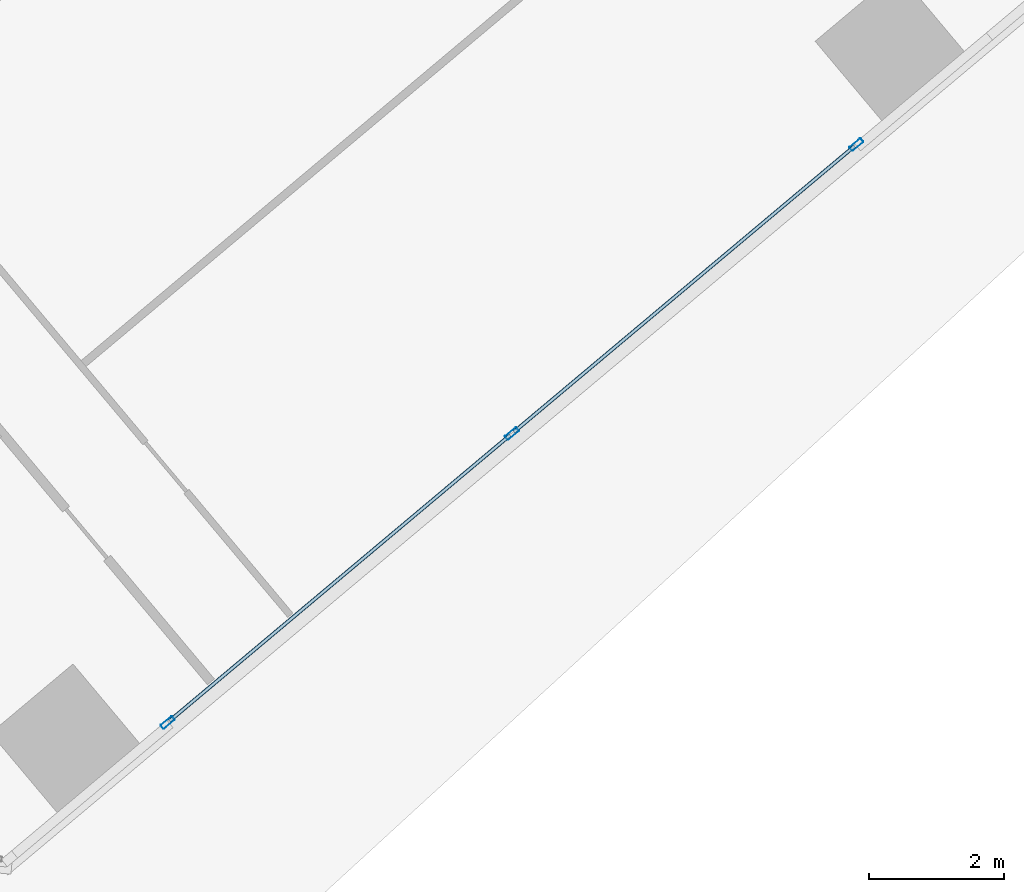
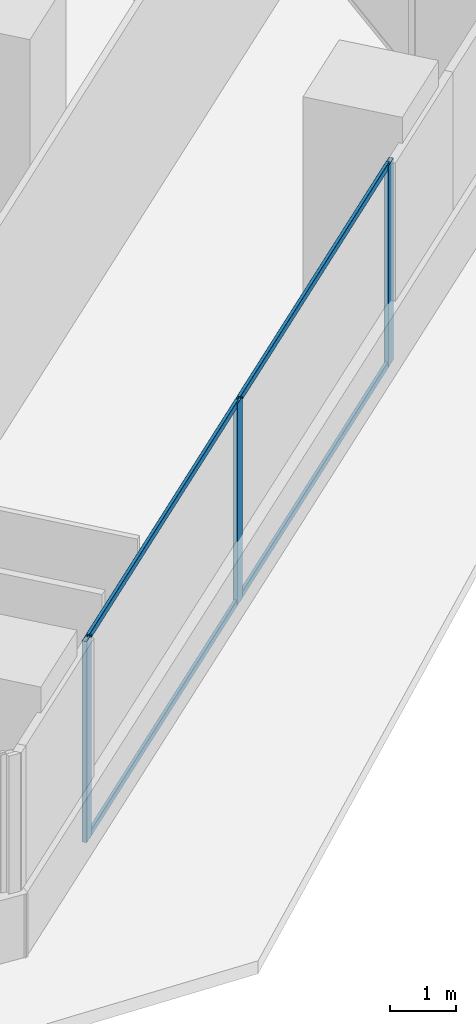
# One storey, part 5 of 17: 7 members, 1 element without a shape of its own.
"""IFC4 building model written with IfcOpenShell, lengths in metres."""

from ifc_helpers import new_model, si_unit, direction, frame, origin, origin_2d, place, context, subcontext, project, spatial, hollow_rectangle, extrude, source, transform, mapped, material, material_profile, profile_set, type_object, element, aggregate, save


model = new_model("IFC4")

# Units and contexts
model_context = context("Model", 3, precision=1e-05, world=origin(), true_north=direction((0.0, 1.0)))
body_context = subcontext(model_context, "Body", "Model", "MODEL_VIEW")
ifc_project = project(units=[si_unit("LENGTHUNIT", "METRE"), si_unit("AREAUNIT", "SQUARE_METRE"), si_unit("VOLUMEUNIT", "CUBIC_METRE"), si_unit("PLANEANGLEUNIT", "RADIAN"), si_unit("MASSUNIT", "GRAM", prefix="KILO")], contexts=[model_context])

# Site, building, storey
site_placement = place(None, origin())
site = spatial("IfcSite", under=ifc_project, at=site_placement, CompositionType="ELEMENT")
building_placement = place(site_placement, origin())
building = spatial("IfcBuilding", under=site, at=building_placement, Name="Torre Montelarca", CompositionType="ELEMENT")
storey_placement = place(building_placement, frame((0.0, 0.0, 266.800048828125)))
storey = spatial("IfcBuildingStorey", under=building, at=storey_placement, Name="L60", CompositionType="ELEMENT", Elevation=266.800048828125)

# Curtain wall, members
ifc_material_1 = material(Name="Insulated low-E laminated glass", Category="glass")
curtain_wall_type = type_object("IfcCurtainWallType", Name="CW-SYS-Z3", PredefinedType="USERDEFINED", material=ifc_material_1)
curtain_wall_placement = place(storey_placement, origin())
curtain_wall = element("IfcCurtainWall", 1, at=curtain_wall_placement, inside=storey, type_object=curtain_wall_type, Name="L60 Curtain Wall Run CW-T3-L60-E06-B1", ObjectType="UNITISED GLAZING", PredefinedType="USERDEFINED")
ifc_material_2 = material(Name="Anodised aluminium AA 6063-T6", Category="aluminium")
ifc_material_profile_1 = material_profile(ifc_material_2, hollow_rectangle(XDim=0.074951171875, YDim=0.219970703125, WallThickness=0.0048828125, InnerFilletRadius=0.0048828125, OuterFilletRadius=0.010009765625, at=origin_2d()), Name="ALU75X220X5", Category="aluminium")
ifc_profile_set_1 = profile_set([ifc_material_profile_1], Name="Anodised aluminium AA 6063-T6")
member_type_1 = type_object("IfcMemberType", Name="CWM-ALU220", PredefinedType="MULLION", material=ifc_profile_set_1)
shared_shape_1 = source(origin(), body_context, "Body", "SweptSolid", [
    extrude(hollow_rectangle(XDim=0.074951171875, YDim=0.219970703125, WallThickness=0.0048828125, InnerFilletRadius=0.0048828125, OuterFilletRadius=0.010009765625, at=origin_2d()), origin(), (0.0, 0.0, 1.0), 3.719970703125),
])
member_1_placement = place(storey_placement, frame((30.052978515625, 11.410888671875, 0.0), z_axis=(0.0, 0.0, 1.0), x_axis=(-0.642790484298, 0.766042031024, 0.0)))
member_1 = element("IfcMember", 2, at=member_1_placement, type_object=member_type_1, Name="CW mullion 1", PredefinedType="MULLION", context=body_context, shape_type="MappedRepresentation", body=[
    mapped(shared_shape_1, transform((0.0, 0.0, 0.0), scale=1.0)),
])
member_2_placement = place(storey_placement, frame((35.172119140625, 15.706298828125, 0.0), z_axis=(0.0, 0.0, 1.0), x_axis=(-0.642790484298, 0.766042031024, 0.0)))
member_2 = element("IfcMember", 3, at=member_2_placement, type_object=member_type_1, Name="CW mullion 2", PredefinedType="MULLION", context=body_context, shape_type="MappedRepresentation", body=[
    mapped(shared_shape_1, transform((0.0, 0.0, 0.0), scale=1.0)),
])
member_3_placement = place(storey_placement, frame((40.291259765625, 20.001708984375, 0.0), z_axis=(0.0, 0.0, 1.0), x_axis=(-0.642790484298, 0.766042031024, 0.0)))
member_3 = element("IfcMember", 4, at=member_3_placement, type_object=member_type_1, Name="CW mullion 3", PredefinedType="MULLION", context=body_context, shape_type="MappedRepresentation", body=[
    mapped(shared_shape_1, transform((0.0, 0.0, 0.0), scale=1.0)),
])
ifc_material_profile_2 = material_profile(ifc_material_2, hollow_rectangle(XDim=0.054931640625, YDim=0.1201171875, WallThickness=0.00341796875, InnerFilletRadius=0.00341796875, OuterFilletRadius=0.007080078125, at=origin_2d()), Name="ALU55X120X3.5", Category="aluminium")
ifc_profile_set_2 = profile_set([ifc_material_profile_2], Name="Anodised aluminium AA 6063-T6")
member_type_2 = type_object("IfcMemberType", Name="CWT-ALU120", PredefinedType="USERDEFINED", material=ifc_profile_set_2)
shared_shape_2 = source(origin(), body_context, "Body", "SweptSolid", [
    extrude(hollow_rectangle(XDim=0.054931640625, YDim=0.1201171875, WallThickness=0.00341796875, InnerFilletRadius=0.00341796875, OuterFilletRadius=0.007080078125, at=origin_2d()), origin(), (0.0, 0.0, 1.0), 6.607421875),
])
member_4_placement = place(storey_placement, frame((30.081787109375, 11.434814453125, 0.02734375), z_axis=(0.766030134391, 0.642804661779, 0.0), x_axis=(-0.642804661779, 0.766030134391, 0.0)))
member_4 = element("IfcMember", 5, at=member_4_placement, type_object=member_type_2, Name="CW transom 1.1", ObjectType="TRANSOM", PredefinedType="USERDEFINED", context=body_context, shape_type="MappedRepresentation", body=[
    mapped(shared_shape_2, transform((0.0, 0.0, 0.0), scale=1.0)),
])
member_5_placement = place(storey_placement, frame((30.081787109375, 11.434814453125, 3.6923828125), z_axis=(0.766030134391, 0.642804661779, 0.0), x_axis=(-0.642804661779, 0.766030134391, 0.0)))
member_5 = element("IfcMember", 6, at=member_5_placement, type_object=member_type_2, Name="CW transom 1.2", ObjectType="TRANSOM", PredefinedType="USERDEFINED", context=body_context, shape_type="MappedRepresentation", body=[
    mapped(shared_shape_2, transform((0.0, 0.0, 0.0), scale=1.0)),
])
member_6_placement = place(storey_placement, frame((35.200927734375, 15.73046875, 0.02734375), z_axis=(0.766048328572, 0.642782979155, 0.0), x_axis=(-0.642782979155, 0.766048328572, 0.0)))
member_6 = element("IfcMember", 7, at=member_6_placement, type_object=member_type_2, Name="CW transom 2.1", ObjectType="TRANSOM", PredefinedType="USERDEFINED", context=body_context, shape_type="MappedRepresentation", body=[
    mapped(shared_shape_2, transform((0.0, 0.0, 0.0), scale=1.0)),
])
member_7_placement = place(storey_placement, frame((35.200927734375, 15.73046875, 3.6923828125), z_axis=(0.766048328572, 0.642782979155, 0.0), x_axis=(-0.642782979155, 0.766048328572, 0.0)))
member_7 = element("IfcMember", 8, at=member_7_placement, type_object=member_type_2, Name="CW transom 2.2", ObjectType="TRANSOM", PredefinedType="USERDEFINED", context=body_context, shape_type="MappedRepresentation", body=[
    mapped(shared_shape_2, transform((0.0, 0.0, 0.0), scale=1.0)),
])
aggregate(curtain_wall, [member_1, member_2, member_3, member_4, member_5, member_6, member_7])

save(model, "model.ifc")
